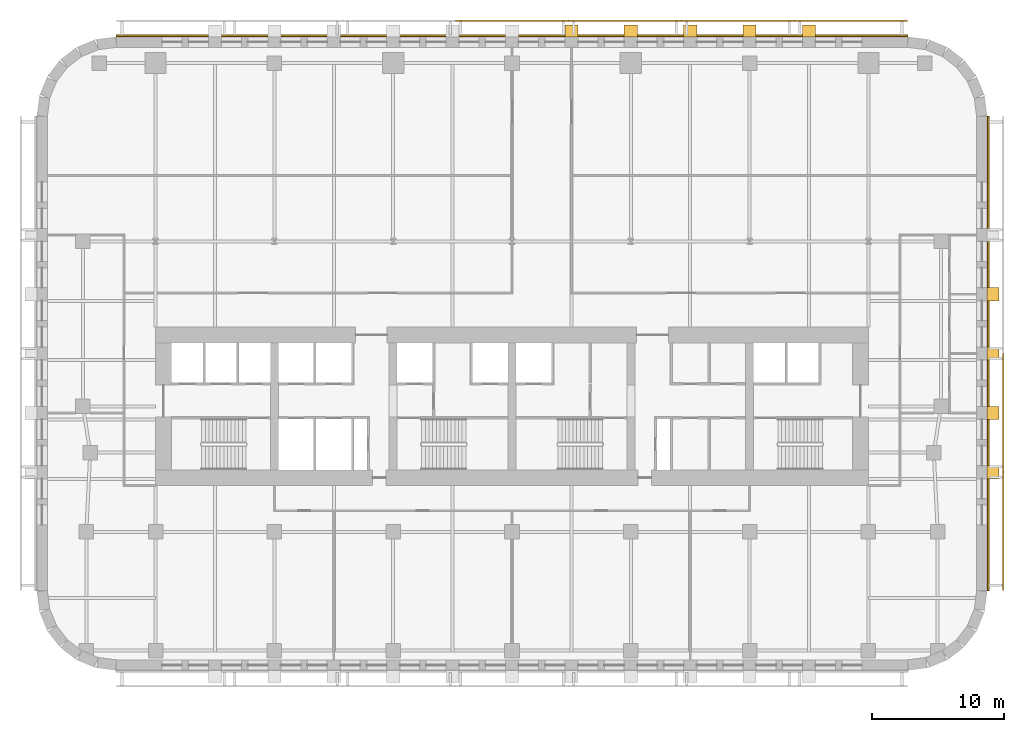
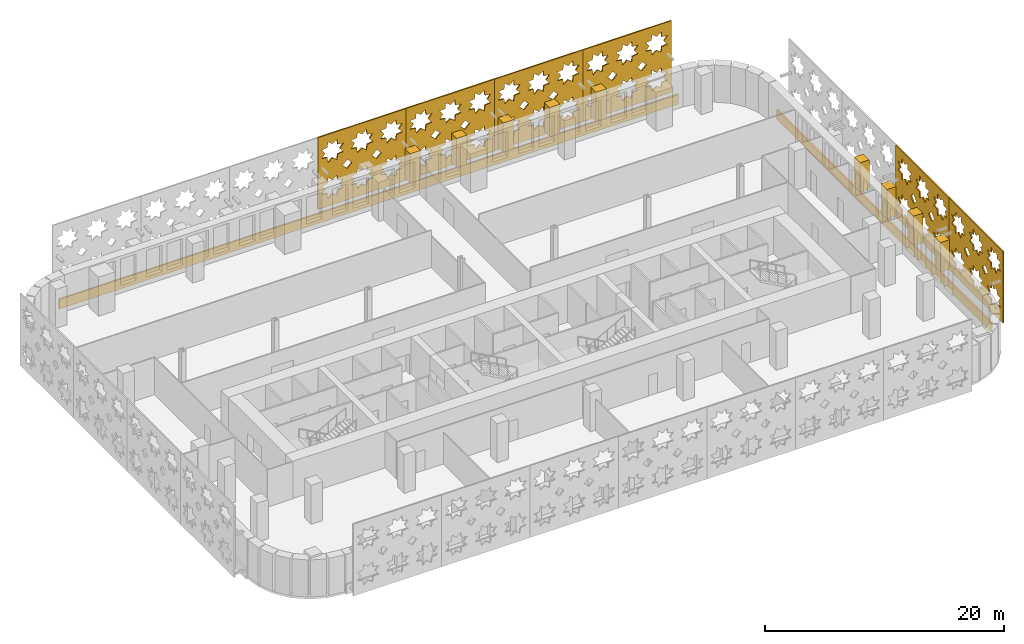
# One storey, part 14 of 15: 17 coverings.
"""IFC4 building model written with IfcOpenShell, lengths in metres."""

from ifc_helpers import new_model, si_unit, direction, frame, origin, place, context, subcontext, project, spatial, polyline, outline, extrude, material, layer, layer_set, type_object, element, save


model = new_model("IFC4")

# Units and contexts
model_context = context("Model", 3, precision=1e-05, world=origin(), true_north=direction((0.0, 1.0)))
body_context = subcontext(model_context, "Body", "Model", "MODEL_VIEW")
ifc_project = project(units=[si_unit("LENGTHUNIT", "METRE"), si_unit("AREAUNIT", "SQUARE_METRE"), si_unit("VOLUMEUNIT", "CUBIC_METRE"), si_unit("PLANEANGLEUNIT", "RADIAN"), si_unit("MASSUNIT", "GRAM", prefix="KILO")], contexts=[model_context])

# Site, building, storey
site_placement = place(None, origin())
site = spatial("IfcSite", under=ifc_project, at=site_placement, CompositionType="ELEMENT")
building_placement = place(site_placement, origin())
building = spatial("IfcBuilding", under=site, at=building_placement, Name="Zellij Exchange Tower", CompositionType="ELEMENT")
storey_placement = place(building_placement, frame((0.0, 0.0, 84.5)))
storey = spatial("IfcBuildingStorey", under=building, at=storey_placement, Name="L17", CompositionType="ELEMENT", Elevation=84.5)

# Coverings
ifc_material_1 = material(Name="Limestone cladding", Category="masonry")
ifc_layer_1 = layer(ifc_material_1, 0.14990234375)
ifc_layer_set_1 = layer_set([ifc_layer_1], Name="Limestone cladding")
covering_type_1 = type_object("IfcCoveringType", Name="ENV-CV1 Stone spandrel band 150", PredefinedType="CLADDING", material=ifc_layer_set_1)
covering_1_placement = place(storey_placement, frame((0.0, 0.0, -0.199951171875)))
element("IfcCovering", 1, at=covering_1_placement, inside=storey, type_object=covering_type_1, Name="Stone spandrel band", PredefinedType="CLADDING", context=body_context, shape_type="SweptSolid", body=[
    extrude(outline(polyline([(36.0, -21.973876953125), (36.0, 13.973876953125), (36.14990234375, 13.983642578125), (36.14990234375, -21.983642578125), (36.0, -21.973876953125)])), origin(), (0.0, 0.0, 1.0), 1.0),
])
covering_2_placement = place(storey_placement, frame((0.0, 0.0, -0.199951171875)))
element("IfcCovering", 2, at=covering_2_placement, inside=storey, type_object=covering_type_1, Name="Stone spandrel band", PredefinedType="CLADDING", context=body_context, shape_type="SweptSolid", body=[
    extrude(outline(polyline([(29.973876953125, 20.0), (-29.973876953125, 20.0), (-29.983642578125, 20.14990234375), (29.983642578125, 20.14990234375), (29.973876953125, 20.0)])), origin(), (0.0, 0.0, 1.0), 1.0),
])
covering_type_2 = type_object("IfcCoveringType", Name="ENV-CV2 Stone pier 1000x900", PredefinedType="CLADDING", material=ifc_material_1)
covering_3_placement = place(storey_placement, frame((0.0, 0.0, 0.800048828125)))
element("IfcCovering", 3, at=covering_3_placement, inside=storey, type_object=covering_type_2, Name="Stone pier", PredefinedType="CLADDING", context=body_context, shape_type="SweptSolid", body=[
    extrude(outline(polyline([(36.0, -13.48681640625), (36.0, -12.48681640625), (36.89990234375, -12.48681640625), (36.89990234375, -13.48681640625), (36.0, -13.48681640625)])), origin(), (0.0, 0.0, 1.0), 3.0),
])
covering_4_placement = place(storey_placement, frame((0.0, 0.0, 0.800048828125)))
element("IfcCovering", 4, at=covering_4_placement, inside=storey, type_object=covering_type_2, Name="Stone pier", PredefinedType="CLADDING", context=body_context, shape_type="SweptSolid", body=[
    extrude(outline(polyline([(36.0, -8.993408203125), (36.0, -7.993408203125), (36.89990234375, -7.993408203125), (36.89990234375, -8.993408203125), (36.0, -8.993408203125)])), origin(), (0.0, 0.0, 1.0), 3.0),
])
covering_5_placement = place(storey_placement, frame((0.0, 0.0, 0.800048828125)))
element("IfcCovering", 5, at=covering_5_placement, inside=storey, type_object=covering_type_2, Name="Stone pier", PredefinedType="CLADDING", context=body_context, shape_type="SweptSolid", body=[
    extrude(outline(polyline([(36.0, -4.5), (36.0, -3.5), (36.89990234375, -3.5), (36.89990234375, -4.5), (36.0, -4.5)])), origin(), (0.0, 0.0, 1.0), 3.0),
])
covering_6_placement = place(storey_placement, frame((0.0, 0.0, 0.800048828125)))
element("IfcCovering", 6, at=covering_6_placement, inside=storey, type_object=covering_type_2, Name="Stone pier", PredefinedType="CLADDING", context=body_context, shape_type="SweptSolid", body=[
    extrude(outline(polyline([(36.0, -0.006591796875), (36.0, 0.993408203125), (36.89990234375, 0.993408203125), (36.89990234375, -0.006591796875), (36.0, -0.006591796875)])), origin(), (0.0, 0.0, 1.0), 3.0),
])
covering_7_placement = place(storey_placement, frame((0.0, 0.0, 0.800048828125)))
element("IfcCovering", 7, at=covering_7_placement, inside=storey, type_object=covering_type_2, Name="Stone pier", PredefinedType="CLADDING", context=body_context, shape_type="SweptSolid", body=[
    extrude(outline(polyline([(23.0, 20.0), (22.0, 20.0), (22.0, 20.89990234375), (23.0, 20.89990234375), (23.0, 20.0)])), origin(), (0.0, 0.0, 1.0), 3.0),
])
covering_8_placement = place(storey_placement, frame((0.0, 0.0, 0.800048828125)))
element("IfcCovering", 8, at=covering_8_placement, inside=storey, type_object=covering_type_2, Name="Stone pier", PredefinedType="CLADDING", context=body_context, shape_type="SweptSolid", body=[
    extrude(outline(polyline([(18.5, 20.0), (17.5, 20.0), (17.5, 20.89990234375), (18.5, 20.89990234375), (18.5, 20.0)])), origin(), (0.0, 0.0, 1.0), 3.0),
])
covering_9_placement = place(storey_placement, frame((0.0, 0.0, 0.800048828125)))
element("IfcCovering", 9, at=covering_9_placement, inside=storey, type_object=covering_type_2, Name="Stone pier", PredefinedType="CLADDING", context=body_context, shape_type="SweptSolid", body=[
    extrude(outline(polyline([(14.0, 20.0), (13.0, 20.0), (13.0, 20.89990234375), (14.0, 20.89990234375), (14.0, 20.0)])), origin(), (0.0, 0.0, 1.0), 3.0),
])
covering_10_placement = place(storey_placement, frame((0.0, 0.0, 0.800048828125)))
element("IfcCovering", 10, at=covering_10_placement, inside=storey, type_object=covering_type_2, Name="Stone pier", PredefinedType="CLADDING", context=body_context, shape_type="SweptSolid", body=[
    extrude(outline(polyline([(9.5, 20.0), (8.5, 20.0), (8.5, 20.89990234375), (9.5, 20.89990234375), (9.5, 20.0)])), origin(), (0.0, 0.0, 1.0), 3.0),
])
covering_11_placement = place(storey_placement, frame((0.0, 0.0, 0.800048828125)))
element("IfcCovering", 11, at=covering_11_placement, inside=storey, type_object=covering_type_2, Name="Stone pier", PredefinedType="CLADDING", context=body_context, shape_type="SweptSolid", body=[
    extrude(outline(polyline([(5.0, 20.0), (4.0, 20.0), (4.0, 20.89990234375), (5.0, 20.89990234375), (5.0, 20.0)])), origin(), (0.0, 0.0, 1.0), 3.0),
])
ifc_material_2 = material(Name="Limestone screen", Category="masonry")
ifc_layer_2 = layer(ifc_material_2, 0.1201171875)
ifc_layer_set_2 = layer_set([ifc_layer_2], Name="Limestone screen")
covering_type_3 = type_object("IfcCoveringType", Name="ENV-SC1 Pierced stone screen 120", PredefinedType="USERDEFINED", material=ifc_layer_set_2)
covering_12_placement = place(storey_placement, frame((29.947509765625, 21.2099609375, 0.300048828125), z_axis=(0.0, 0.0, 1.0), x_axis=(-1.0, 0.0, 0.0)))
element("IfcCovering", 12, at=covering_12_placement, inside=storey, type_object=covering_type_3, Name="Pierced stone screen", ObjectType="SCREEN", PredefinedType="USERDEFINED", context=body_context, shape_type="SweptSolid", body=[
    extrude(outline(polyline([(0.0, 0.0), (8.556396484375, 0.0), (8.556396484375, 7.35009765625), (0.0, 7.35009765625), (0.0, 0.0)]), holes=[polyline([(2.47998046875, 2.274169921875), (1.92626953125, 2.337646484375), (1.86279296875, 2.8916015625), (1.426025390625, 2.544921875), (0.989501953125, 2.8916015625), (0.92578125, 2.337646484375), (0.3720703125, 2.274169921875), (0.71875, 1.83740234375), (0.3720703125, 1.40087890625), (0.92578125, 1.33740234375), (0.989501953125, 0.783447265625), (1.426025390625, 1.130126953125), (1.86279296875, 0.783447265625), (1.92626953125, 1.33740234375), (2.47998046875, 1.40087890625), (2.13330078125, 1.83740234375), (2.47998046875, 2.274169921875)]), polyline([(2.47998046875, 5.94921875), (1.92626953125, 6.0126953125), (1.86279296875, 6.56640625), (1.426025390625, 6.2197265625), (0.989501953125, 6.56640625), (0.92578125, 6.0126953125), (0.3720703125, 5.94921875), (0.71875, 5.512451171875), (0.3720703125, 5.075927734375), (0.92578125, 5.01220703125), (0.989501953125, 4.45849609375), (1.426025390625, 4.80517578125), (1.86279296875, 4.45849609375), (1.92626953125, 5.01220703125), (2.47998046875, 5.075927734375), (2.13330078125, 5.512451171875), (2.47998046875, 5.94921875)]), polyline([(5.332275390625, 2.274169921875), (4.7783203125, 2.337646484375), (4.71484375, 2.8916015625), (4.2783203125, 2.544921875), (3.841552734375, 2.8916015625), (3.778076171875, 2.337646484375), (3.22412109375, 2.274169921875), (3.57080078125, 1.83740234375), (3.22412109375, 1.40087890625), (3.778076171875, 1.33740234375), (3.841552734375, 0.783447265625), (4.2783203125, 1.130126953125), (4.71484375, 0.783447265625), (4.7783203125, 1.33740234375), (5.332275390625, 1.40087890625), (4.985595703125, 1.83740234375), (5.332275390625, 2.274169921875)]), polyline([(5.332275390625, 5.94921875), (4.7783203125, 6.0126953125), (4.71484375, 6.56640625), (4.2783203125, 6.2197265625), (3.841552734375, 6.56640625), (3.778076171875, 6.0126953125), (3.22412109375, 5.94921875), (3.57080078125, 5.512451171875), (3.22412109375, 5.075927734375), (3.778076171875, 5.01220703125), (3.841552734375, 4.45849609375), (4.2783203125, 4.80517578125), (4.71484375, 4.45849609375), (4.7783203125, 5.01220703125), (5.332275390625, 5.075927734375), (4.985595703125, 5.512451171875), (5.332275390625, 5.94921875)]), polyline([(8.184326171875, 2.274169921875), (7.630615234375, 2.337646484375), (7.56689453125, 2.8916015625), (7.13037109375, 2.544921875), (6.69384765625, 2.8916015625), (6.630126953125, 2.337646484375), (6.076416015625, 2.274169921875), (6.423095703125, 1.83740234375), (6.076416015625, 1.40087890625), (6.630126953125, 1.33740234375), (6.69384765625, 0.783447265625), (7.13037109375, 1.130126953125), (7.56689453125, 0.783447265625), (7.630615234375, 1.33740234375), (8.184326171875, 1.40087890625), (7.837646484375, 1.83740234375), (8.184326171875, 2.274169921875)]), polyline([(8.184326171875, 5.94921875), (7.630615234375, 6.0126953125), (7.56689453125, 6.56640625), (7.13037109375, 6.2197265625), (6.69384765625, 6.56640625), (6.630126953125, 6.0126953125), (6.076416015625, 5.94921875), (6.423095703125, 5.512451171875), (6.076416015625, 5.075927734375), (6.630126953125, 5.01220703125), (6.69384765625, 4.45849609375), (7.13037109375, 4.80517578125), (7.56689453125, 4.45849609375), (7.630615234375, 5.01220703125), (8.184326171875, 5.075927734375), (7.837646484375, 5.512451171875), (8.184326171875, 5.94921875)]), polyline([(3.30859375, 3.675048828125), (2.852294921875, 4.13134765625), (2.395751953125, 3.675048828125), (2.852294921875, 3.21875), (3.30859375, 3.675048828125)]), polyline([(6.16064453125, 3.675048828125), (5.704345703125, 4.13134765625), (5.248046875, 3.675048828125), (5.704345703125, 3.21875), (6.16064453125, 3.675048828125)])]), frame((0.0, 0.06005859375, 0.0), z_axis=(0.0, -1.0, 0.0), x_axis=(1.0, 0.0, 0.0)), (0.0, 0.0, 1.0), 0.1201171875),
])
covering_13_placement = place(storey_placement, frame((21.39111328125, 21.2099609375, 0.300048828125), z_axis=(0.0, 0.0, 1.0), x_axis=(-1.0, 0.0, 0.0)))
element("IfcCovering", 13, at=covering_13_placement, inside=storey, type_object=covering_type_3, Name="Pierced stone screen", ObjectType="SCREEN", PredefinedType="USERDEFINED", context=body_context, shape_type="SweptSolid", body=[
    extrude(outline(polyline([(0.0, 0.0), (8.556396484375, 0.0), (8.556396484375, 7.35009765625), (0.0, 7.35009765625), (0.0, 0.0)]), holes=[polyline([(2.47998046875, 2.274169921875), (1.92626953125, 2.337646484375), (1.86279296875, 2.8916015625), (1.426025390625, 2.544921875), (0.989501953125, 2.8916015625), (0.92578125, 2.337646484375), (0.3720703125, 2.274169921875), (0.71875, 1.83740234375), (0.3720703125, 1.40087890625), (0.92578125, 1.33740234375), (0.989501953125, 0.783447265625), (1.426025390625, 1.130126953125), (1.86279296875, 0.783447265625), (1.92626953125, 1.33740234375), (2.47998046875, 1.40087890625), (2.13330078125, 1.83740234375), (2.47998046875, 2.274169921875)]), polyline([(2.47998046875, 5.94921875), (1.92626953125, 6.0126953125), (1.86279296875, 6.56640625), (1.426025390625, 6.2197265625), (0.989501953125, 6.56640625), (0.92578125, 6.0126953125), (0.3720703125, 5.94921875), (0.71875, 5.512451171875), (0.3720703125, 5.075927734375), (0.92578125, 5.01220703125), (0.989501953125, 4.45849609375), (1.426025390625, 4.80517578125), (1.86279296875, 4.45849609375), (1.92626953125, 5.01220703125), (2.47998046875, 5.075927734375), (2.13330078125, 5.512451171875), (2.47998046875, 5.94921875)]), polyline([(5.332275390625, 2.274169921875), (4.7783203125, 2.337646484375), (4.71484375, 2.8916015625), (4.2783203125, 2.544921875), (3.841552734375, 2.8916015625), (3.778076171875, 2.337646484375), (3.22412109375, 2.274169921875), (3.57080078125, 1.83740234375), (3.22412109375, 1.40087890625), (3.778076171875, 1.33740234375), (3.841552734375, 0.783447265625), (4.2783203125, 1.130126953125), (4.71484375, 0.783447265625), (4.7783203125, 1.33740234375), (5.332275390625, 1.40087890625), (4.985595703125, 1.83740234375), (5.332275390625, 2.274169921875)]), polyline([(5.332275390625, 5.94921875), (4.7783203125, 6.0126953125), (4.71484375, 6.56640625), (4.2783203125, 6.2197265625), (3.841552734375, 6.56640625), (3.778076171875, 6.0126953125), (3.22412109375, 5.94921875), (3.57080078125, 5.512451171875), (3.22412109375, 5.075927734375), (3.778076171875, 5.01220703125), (3.841552734375, 4.45849609375), (4.2783203125, 4.80517578125), (4.71484375, 4.45849609375), (4.7783203125, 5.01220703125), (5.332275390625, 5.075927734375), (4.985595703125, 5.512451171875), (5.332275390625, 5.94921875)]), polyline([(8.184326171875, 2.274169921875), (7.630615234375, 2.337646484375), (7.56689453125, 2.8916015625), (7.13037109375, 2.544921875), (6.69384765625, 2.8916015625), (6.630126953125, 2.337646484375), (6.076416015625, 2.274169921875), (6.423095703125, 1.83740234375), (6.076416015625, 1.40087890625), (6.630126953125, 1.33740234375), (6.69384765625, 0.783447265625), (7.13037109375, 1.130126953125), (7.56689453125, 0.783447265625), (7.630615234375, 1.33740234375), (8.184326171875, 1.40087890625), (7.837646484375, 1.83740234375), (8.184326171875, 2.274169921875)]), polyline([(8.184326171875, 5.94921875), (7.630615234375, 6.0126953125), (7.56689453125, 6.56640625), (7.13037109375, 6.2197265625), (6.69384765625, 6.56640625), (6.630126953125, 6.0126953125), (6.076416015625, 5.94921875), (6.423095703125, 5.512451171875), (6.076416015625, 5.075927734375), (6.630126953125, 5.01220703125), (6.69384765625, 4.45849609375), (7.13037109375, 4.80517578125), (7.56689453125, 4.45849609375), (7.630615234375, 5.01220703125), (8.184326171875, 5.075927734375), (7.837646484375, 5.512451171875), (8.184326171875, 5.94921875)]), polyline([(3.30859375, 3.675048828125), (2.852294921875, 4.13134765625), (2.395751953125, 3.675048828125), (2.852294921875, 3.21875), (3.30859375, 3.675048828125)]), polyline([(6.16064453125, 3.675048828125), (5.704345703125, 4.13134765625), (5.248046875, 3.675048828125), (5.704345703125, 3.21875), (6.16064453125, 3.675048828125)])]), frame((0.0, 0.06005859375, 0.0), z_axis=(0.0, -1.0, 0.0), x_axis=(1.0, 0.0, 0.0)), (0.0, 0.0, 1.0), 0.1201171875),
])
covering_14_placement = place(storey_placement, frame((12.834716796875, 21.2099609375, 0.300048828125), z_axis=(0.0, 0.0, 1.0), x_axis=(-1.0, 0.0, 0.0)))
element("IfcCovering", 14, at=covering_14_placement, inside=storey, type_object=covering_type_3, Name="Pierced stone screen", ObjectType="SCREEN", PredefinedType="USERDEFINED", context=body_context, shape_type="SweptSolid", body=[
    extrude(outline(polyline([(0.0, 0.0), (8.556396484375, 0.0), (8.556396484375, 7.35009765625), (0.0, 7.35009765625), (0.0, 0.0)]), holes=[polyline([(2.47998046875, 2.274169921875), (1.92626953125, 2.337646484375), (1.86279296875, 2.8916015625), (1.426025390625, 2.544921875), (0.989501953125, 2.8916015625), (0.92578125, 2.337646484375), (0.3720703125, 2.274169921875), (0.71875, 1.83740234375), (0.3720703125, 1.40087890625), (0.92578125, 1.33740234375), (0.989501953125, 0.783447265625), (1.426025390625, 1.130126953125), (1.86279296875, 0.783447265625), (1.92626953125, 1.33740234375), (2.47998046875, 1.40087890625), (2.13330078125, 1.83740234375), (2.47998046875, 2.274169921875)]), polyline([(2.47998046875, 5.94921875), (1.92626953125, 6.0126953125), (1.86279296875, 6.56640625), (1.426025390625, 6.2197265625), (0.989501953125, 6.56640625), (0.92578125, 6.0126953125), (0.3720703125, 5.94921875), (0.71875, 5.512451171875), (0.3720703125, 5.075927734375), (0.92578125, 5.01220703125), (0.989501953125, 4.45849609375), (1.426025390625, 4.80517578125), (1.86279296875, 4.45849609375), (1.92626953125, 5.01220703125), (2.47998046875, 5.075927734375), (2.13330078125, 5.512451171875), (2.47998046875, 5.94921875)]), polyline([(5.332275390625, 2.274169921875), (4.7783203125, 2.337646484375), (4.71484375, 2.8916015625), (4.2783203125, 2.544921875), (3.841552734375, 2.8916015625), (3.778076171875, 2.337646484375), (3.22412109375, 2.274169921875), (3.57080078125, 1.83740234375), (3.22412109375, 1.40087890625), (3.778076171875, 1.33740234375), (3.841552734375, 0.783447265625), (4.2783203125, 1.130126953125), (4.71484375, 0.783447265625), (4.7783203125, 1.33740234375), (5.332275390625, 1.40087890625), (4.985595703125, 1.83740234375), (5.332275390625, 2.274169921875)]), polyline([(5.332275390625, 5.94921875), (4.7783203125, 6.0126953125), (4.71484375, 6.56640625), (4.2783203125, 6.2197265625), (3.841552734375, 6.56640625), (3.778076171875, 6.0126953125), (3.22412109375, 5.94921875), (3.57080078125, 5.512451171875), (3.22412109375, 5.075927734375), (3.778076171875, 5.01220703125), (3.841552734375, 4.45849609375), (4.2783203125, 4.80517578125), (4.71484375, 4.45849609375), (4.7783203125, 5.01220703125), (5.332275390625, 5.075927734375), (4.985595703125, 5.512451171875), (5.332275390625, 5.94921875)]), polyline([(8.184326171875, 2.274169921875), (7.630615234375, 2.337646484375), (7.56689453125, 2.8916015625), (7.13037109375, 2.544921875), (6.69384765625, 2.8916015625), (6.630126953125, 2.337646484375), (6.076416015625, 2.274169921875), (6.423095703125, 1.83740234375), (6.076416015625, 1.40087890625), (6.630126953125, 1.33740234375), (6.69384765625, 0.783447265625), (7.13037109375, 1.130126953125), (7.56689453125, 0.783447265625), (7.630615234375, 1.33740234375), (8.184326171875, 1.40087890625), (7.837646484375, 1.83740234375), (8.184326171875, 2.274169921875)]), polyline([(8.184326171875, 5.94921875), (7.630615234375, 6.0126953125), (7.56689453125, 6.56640625), (7.13037109375, 6.2197265625), (6.69384765625, 6.56640625), (6.630126953125, 6.0126953125), (6.076416015625, 5.94921875), (6.423095703125, 5.512451171875), (6.076416015625, 5.075927734375), (6.630126953125, 5.01220703125), (6.69384765625, 4.45849609375), (7.13037109375, 4.80517578125), (7.56689453125, 4.45849609375), (7.630615234375, 5.01220703125), (8.184326171875, 5.075927734375), (7.837646484375, 5.512451171875), (8.184326171875, 5.94921875)]), polyline([(3.30859375, 3.675048828125), (2.852294921875, 4.13134765625), (2.395751953125, 3.675048828125), (2.852294921875, 3.21875), (3.30859375, 3.675048828125)]), polyline([(6.16064453125, 3.675048828125), (5.704345703125, 4.13134765625), (5.248046875, 3.675048828125), (5.704345703125, 3.21875), (6.16064453125, 3.675048828125)])]), frame((0.0, 0.06005859375, 0.0), z_axis=(0.0, -1.0, 0.0), x_axis=(1.0, 0.0, 0.0)), (0.0, 0.0, 1.0), 0.1201171875),
])
covering_15_placement = place(storey_placement, frame((4.2783203125, 21.2099609375, 0.300048828125), z_axis=(0.0, 0.0, 1.0), x_axis=(-1.0, 0.0, 0.0)))
element("IfcCovering", 15, at=covering_15_placement, inside=storey, type_object=covering_type_3, Name="Pierced stone screen", ObjectType="SCREEN", PredefinedType="USERDEFINED", context=body_context, shape_type="SweptSolid", body=[
    extrude(outline(polyline([(0.0, 0.0), (8.556396484375, 0.0), (8.556396484375, 7.35009765625), (0.0, 7.35009765625), (0.0, 0.0)]), holes=[polyline([(2.47998046875, 2.274169921875), (1.92626953125, 2.337646484375), (1.86279296875, 2.8916015625), (1.426025390625, 2.544921875), (0.989501953125, 2.8916015625), (0.92578125, 2.337646484375), (0.3720703125, 2.274169921875), (0.71875, 1.83740234375), (0.3720703125, 1.40087890625), (0.92578125, 1.33740234375), (0.989501953125, 0.783447265625), (1.426025390625, 1.130126953125), (1.86279296875, 0.783447265625), (1.92626953125, 1.33740234375), (2.47998046875, 1.40087890625), (2.13330078125, 1.83740234375), (2.47998046875, 2.274169921875)]), polyline([(2.47998046875, 5.94921875), (1.92626953125, 6.0126953125), (1.86279296875, 6.56640625), (1.426025390625, 6.2197265625), (0.989501953125, 6.56640625), (0.92578125, 6.0126953125), (0.3720703125, 5.94921875), (0.71875, 5.512451171875), (0.3720703125, 5.075927734375), (0.92578125, 5.01220703125), (0.989501953125, 4.45849609375), (1.426025390625, 4.80517578125), (1.86279296875, 4.45849609375), (1.92626953125, 5.01220703125), (2.47998046875, 5.075927734375), (2.13330078125, 5.512451171875), (2.47998046875, 5.94921875)]), polyline([(5.332275390625, 2.274169921875), (4.7783203125, 2.337646484375), (4.71484375, 2.8916015625), (4.2783203125, 2.544921875), (3.841552734375, 2.8916015625), (3.778076171875, 2.337646484375), (3.22412109375, 2.274169921875), (3.57080078125, 1.83740234375), (3.22412109375, 1.40087890625), (3.778076171875, 1.33740234375), (3.841552734375, 0.783447265625), (4.2783203125, 1.130126953125), (4.71484375, 0.783447265625), (4.7783203125, 1.33740234375), (5.332275390625, 1.40087890625), (4.985595703125, 1.83740234375), (5.332275390625, 2.274169921875)]), polyline([(5.332275390625, 5.94921875), (4.7783203125, 6.0126953125), (4.71484375, 6.56640625), (4.2783203125, 6.2197265625), (3.841552734375, 6.56640625), (3.778076171875, 6.0126953125), (3.22412109375, 5.94921875), (3.57080078125, 5.512451171875), (3.22412109375, 5.075927734375), (3.778076171875, 5.01220703125), (3.841552734375, 4.45849609375), (4.2783203125, 4.80517578125), (4.71484375, 4.45849609375), (4.7783203125, 5.01220703125), (5.332275390625, 5.075927734375), (4.985595703125, 5.512451171875), (5.332275390625, 5.94921875)]), polyline([(8.184326171875, 2.274169921875), (7.630615234375, 2.337646484375), (7.56689453125, 2.8916015625), (7.13037109375, 2.544921875), (6.69384765625, 2.8916015625), (6.630126953125, 2.337646484375), (6.076416015625, 2.274169921875), (6.423095703125, 1.83740234375), (6.076416015625, 1.40087890625), (6.630126953125, 1.33740234375), (6.69384765625, 0.783447265625), (7.13037109375, 1.130126953125), (7.56689453125, 0.783447265625), (7.630615234375, 1.33740234375), (8.184326171875, 1.40087890625), (7.837646484375, 1.83740234375), (8.184326171875, 2.274169921875)]), polyline([(8.184326171875, 5.94921875), (7.630615234375, 6.0126953125), (7.56689453125, 6.56640625), (7.13037109375, 6.2197265625), (6.69384765625, 6.56640625), (6.630126953125, 6.0126953125), (6.076416015625, 5.94921875), (6.423095703125, 5.512451171875), (6.076416015625, 5.075927734375), (6.630126953125, 5.01220703125), (6.69384765625, 4.45849609375), (7.13037109375, 4.80517578125), (7.56689453125, 4.45849609375), (7.630615234375, 5.01220703125), (8.184326171875, 5.075927734375), (7.837646484375, 5.512451171875), (8.184326171875, 5.94921875)]), polyline([(3.30859375, 3.675048828125), (2.852294921875, 4.13134765625), (2.395751953125, 3.675048828125), (2.852294921875, 3.21875), (3.30859375, 3.675048828125)]), polyline([(6.16064453125, 3.675048828125), (5.704345703125, 4.13134765625), (5.248046875, 3.675048828125), (5.704345703125, 3.21875), (6.16064453125, 3.675048828125)])]), frame((0.0, 0.06005859375, 0.0), z_axis=(0.0, -1.0, 0.0), x_axis=(1.0, 0.0, 0.0)), (0.0, 0.0, 1.0), 0.1201171875),
])
covering_16_placement = place(storey_placement, frame((37.2099609375, -21.947509765625, 0.300048828125), z_axis=(0.0, 0.0, 1.0), x_axis=(0.0, 1.0, 0.0)))
element("IfcCovering", 16, at=covering_16_placement, inside=storey, type_object=covering_type_3, Name="Pierced stone screen", ObjectType="SCREEN", PredefinedType="USERDEFINED", context=body_context, shape_type="SweptSolid", body=[
    extrude(outline(polyline([(0.0, 0.0), (8.973876953125, 0.0), (8.973876953125, 7.35009765625), (0.0, 7.35009765625), (0.0, 0.0)]), holes=[polyline([(2.60107421875, 2.29541015625), (2.020263671875, 2.362060546875), (1.95361328125, 2.94287109375), (1.49560546875, 2.579345703125), (1.03759765625, 2.94287109375), (0.97119140625, 2.362060546875), (0.39013671875, 2.29541015625), (0.75390625, 1.83740234375), (0.39013671875, 1.379638671875), (0.97119140625, 1.31298828125), (1.03759765625, 0.732177734375), (1.49560546875, 1.095703125), (1.95361328125, 0.732177734375), (2.020263671875, 1.31298828125), (2.60107421875, 1.379638671875), (2.237548828125, 1.83740234375), (2.60107421875, 2.29541015625)]), polyline([(2.60107421875, 5.970458984375), (2.020263671875, 6.037109375), (1.95361328125, 6.617919921875), (1.49560546875, 6.25439453125), (1.03759765625, 6.617919921875), (0.97119140625, 6.037109375), (0.39013671875, 5.970458984375), (0.75390625, 5.512451171875), (0.39013671875, 5.0546875), (0.97119140625, 4.98779296875), (1.03759765625, 4.406982421875), (1.49560546875, 4.770751953125), (1.95361328125, 4.406982421875), (2.020263671875, 4.98779296875), (2.60107421875, 5.0546875), (2.237548828125, 5.512451171875), (2.60107421875, 5.970458984375)]), polyline([(5.59228515625, 2.29541015625), (5.011474609375, 2.362060546875), (4.94482421875, 2.94287109375), (4.48681640625, 2.579345703125), (4.029052734375, 2.94287109375), (3.96240234375, 2.362060546875), (3.381591796875, 2.29541015625), (3.7451171875, 1.83740234375), (3.381591796875, 1.379638671875), (3.96240234375, 1.31298828125), (4.029052734375, 0.732177734375), (4.48681640625, 1.095703125), (4.94482421875, 0.732177734375), (5.011474609375, 1.31298828125), (5.59228515625, 1.379638671875), (5.228759765625, 1.83740234375), (5.59228515625, 2.29541015625)]), polyline([(5.59228515625, 5.970458984375), (5.011474609375, 6.037109375), (4.94482421875, 6.617919921875), (4.48681640625, 6.25439453125), (4.029052734375, 6.617919921875), (3.96240234375, 6.037109375), (3.381591796875, 5.970458984375), (3.7451171875, 5.512451171875), (3.381591796875, 5.0546875), (3.96240234375, 4.98779296875), (4.029052734375, 4.406982421875), (4.48681640625, 4.770751953125), (4.94482421875, 4.406982421875), (5.011474609375, 4.98779296875), (5.59228515625, 5.0546875), (5.228759765625, 5.512451171875), (5.59228515625, 5.970458984375)]), polyline([(8.58349609375, 2.29541015625), (8.002685546875, 2.362060546875), (7.93603515625, 2.94287109375), (7.478271484375, 2.579345703125), (7.020263671875, 2.94287109375), (6.95361328125, 2.362060546875), (6.372802734375, 2.29541015625), (6.736328125, 1.83740234375), (6.372802734375, 1.379638671875), (6.95361328125, 1.31298828125), (7.020263671875, 0.732177734375), (7.478271484375, 1.095703125), (7.93603515625, 0.732177734375), (8.002685546875, 1.31298828125), (8.58349609375, 1.379638671875), (8.219970703125, 1.83740234375), (8.58349609375, 2.29541015625)]), polyline([(8.58349609375, 5.970458984375), (8.002685546875, 6.037109375), (7.93603515625, 6.617919921875), (7.478271484375, 6.25439453125), (7.020263671875, 6.617919921875), (6.95361328125, 6.037109375), (6.372802734375, 5.970458984375), (6.736328125, 5.512451171875), (6.372802734375, 5.0546875), (6.95361328125, 4.98779296875), (7.020263671875, 4.406982421875), (7.478271484375, 4.770751953125), (7.93603515625, 4.406982421875), (8.002685546875, 4.98779296875), (8.58349609375, 5.0546875), (8.219970703125, 5.512451171875), (8.58349609375, 5.970458984375)]), polyline([(3.469970703125, 3.675048828125), (2.9912109375, 4.153564453125), (2.5126953125, 3.675048828125), (2.9912109375, 3.1962890625), (3.469970703125, 3.675048828125)]), polyline([(6.461181640625, 3.675048828125), (5.982421875, 4.153564453125), (5.50390625, 3.675048828125), (5.982421875, 3.1962890625), (6.461181640625, 3.675048828125)])]), frame((0.0, 0.06005859375, 0.0), z_axis=(0.0, -1.0, 0.0), x_axis=(1.0, 0.0, 0.0)), (0.0, 0.0, 1.0), 0.1201171875),
])
covering_17_placement = place(storey_placement, frame((37.2099609375, -12.973876953125, 0.300048828125), z_axis=(0.0, 0.0, 1.0), x_axis=(0.0, 1.0, 0.0)))
element("IfcCovering", 17, at=covering_17_placement, inside=storey, type_object=covering_type_3, Name="Pierced stone screen", ObjectType="SCREEN", PredefinedType="USERDEFINED", context=body_context, shape_type="SweptSolid", body=[
    extrude(outline(polyline([(0.0, 0.0), (8.973876953125, 0.0), (8.973876953125, 7.35009765625), (0.0, 7.35009765625), (0.0, 0.0)]), holes=[polyline([(2.60107421875, 2.29541015625), (2.020263671875, 2.362060546875), (1.95361328125, 2.94287109375), (1.49560546875, 2.579345703125), (1.03759765625, 2.94287109375), (0.97119140625, 2.362060546875), (0.39013671875, 2.29541015625), (0.75390625, 1.83740234375), (0.39013671875, 1.379638671875), (0.97119140625, 1.31298828125), (1.03759765625, 0.732177734375), (1.49560546875, 1.095703125), (1.95361328125, 0.732177734375), (2.020263671875, 1.31298828125), (2.60107421875, 1.379638671875), (2.237548828125, 1.83740234375), (2.60107421875, 2.29541015625)]), polyline([(2.60107421875, 5.970458984375), (2.020263671875, 6.037109375), (1.95361328125, 6.617919921875), (1.49560546875, 6.25439453125), (1.03759765625, 6.617919921875), (0.97119140625, 6.037109375), (0.39013671875, 5.970458984375), (0.75390625, 5.512451171875), (0.39013671875, 5.0546875), (0.97119140625, 4.98779296875), (1.03759765625, 4.406982421875), (1.49560546875, 4.770751953125), (1.95361328125, 4.406982421875), (2.020263671875, 4.98779296875), (2.60107421875, 5.0546875), (2.237548828125, 5.512451171875), (2.60107421875, 5.970458984375)]), polyline([(5.59228515625, 2.29541015625), (5.011474609375, 2.362060546875), (4.94482421875, 2.94287109375), (4.48681640625, 2.579345703125), (4.029052734375, 2.94287109375), (3.96240234375, 2.362060546875), (3.381591796875, 2.29541015625), (3.7451171875, 1.83740234375), (3.381591796875, 1.379638671875), (3.96240234375, 1.31298828125), (4.029052734375, 0.732177734375), (4.48681640625, 1.095703125), (4.94482421875, 0.732177734375), (5.011474609375, 1.31298828125), (5.59228515625, 1.379638671875), (5.228759765625, 1.83740234375), (5.59228515625, 2.29541015625)]), polyline([(5.59228515625, 5.970458984375), (5.011474609375, 6.037109375), (4.94482421875, 6.617919921875), (4.48681640625, 6.25439453125), (4.029052734375, 6.617919921875), (3.96240234375, 6.037109375), (3.381591796875, 5.970458984375), (3.7451171875, 5.512451171875), (3.381591796875, 5.0546875), (3.96240234375, 4.98779296875), (4.029052734375, 4.406982421875), (4.48681640625, 4.770751953125), (4.94482421875, 4.406982421875), (5.011474609375, 4.98779296875), (5.59228515625, 5.0546875), (5.228759765625, 5.512451171875), (5.59228515625, 5.970458984375)]), polyline([(8.58349609375, 2.29541015625), (8.002685546875, 2.362060546875), (7.93603515625, 2.94287109375), (7.478271484375, 2.579345703125), (7.020263671875, 2.94287109375), (6.95361328125, 2.362060546875), (6.372802734375, 2.29541015625), (6.736328125, 1.83740234375), (6.372802734375, 1.379638671875), (6.95361328125, 1.31298828125), (7.020263671875, 0.732177734375), (7.478271484375, 1.095703125), (7.93603515625, 0.732177734375), (8.002685546875, 1.31298828125), (8.58349609375, 1.379638671875), (8.219970703125, 1.83740234375), (8.58349609375, 2.29541015625)]), polyline([(8.58349609375, 5.970458984375), (8.002685546875, 6.037109375), (7.93603515625, 6.617919921875), (7.478271484375, 6.25439453125), (7.020263671875, 6.617919921875), (6.95361328125, 6.037109375), (6.372802734375, 5.970458984375), (6.736328125, 5.512451171875), (6.372802734375, 5.0546875), (6.95361328125, 4.98779296875), (7.020263671875, 4.406982421875), (7.478271484375, 4.770751953125), (7.93603515625, 4.406982421875), (8.002685546875, 4.98779296875), (8.58349609375, 5.0546875), (8.219970703125, 5.512451171875), (8.58349609375, 5.970458984375)]), polyline([(3.469970703125, 3.675048828125), (2.9912109375, 4.153564453125), (2.5126953125, 3.675048828125), (2.9912109375, 3.1962890625), (3.469970703125, 3.675048828125)]), polyline([(6.461181640625, 3.675048828125), (5.982421875, 4.153564453125), (5.50390625, 3.675048828125), (5.982421875, 3.1962890625), (6.461181640625, 3.675048828125)])]), frame((0.0, 0.06005859375, 0.0), z_axis=(0.0, -1.0, 0.0), x_axis=(1.0, 0.0, 0.0)), (0.0, 0.0, 1.0), 0.1201171875),
])

save(model, "model.ifc")
